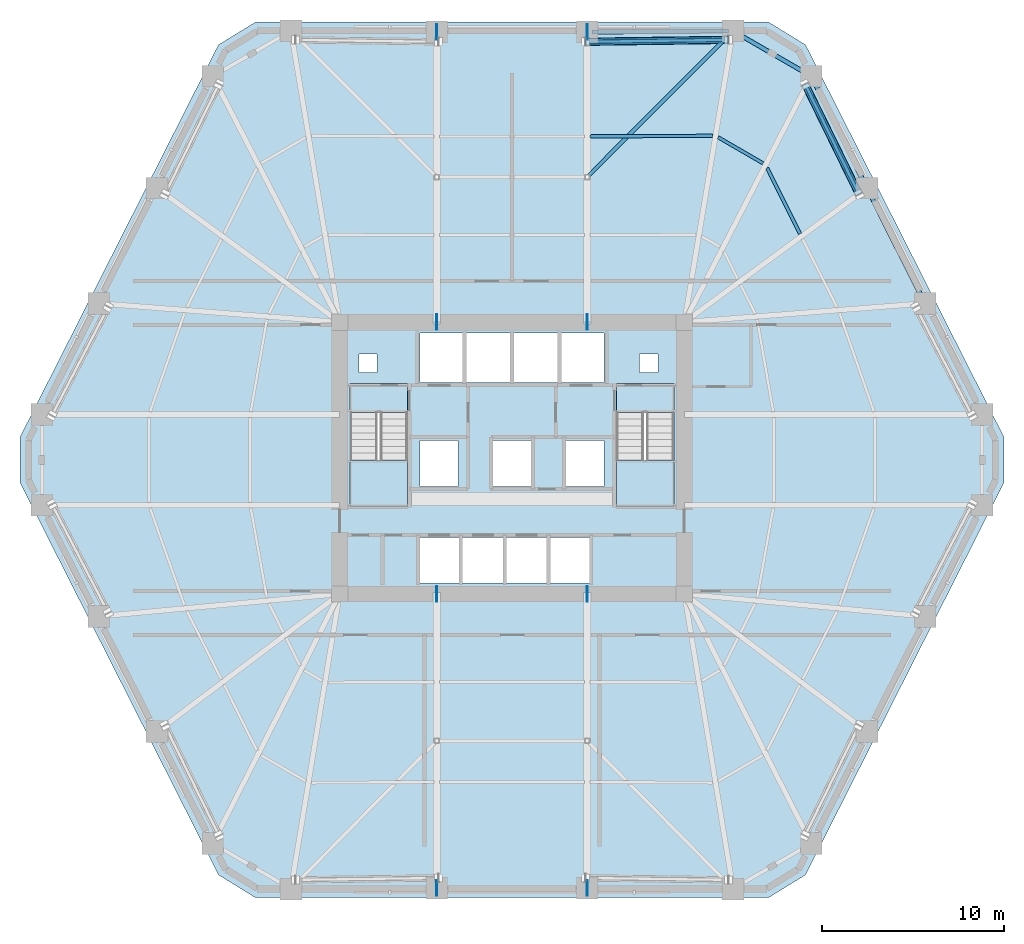
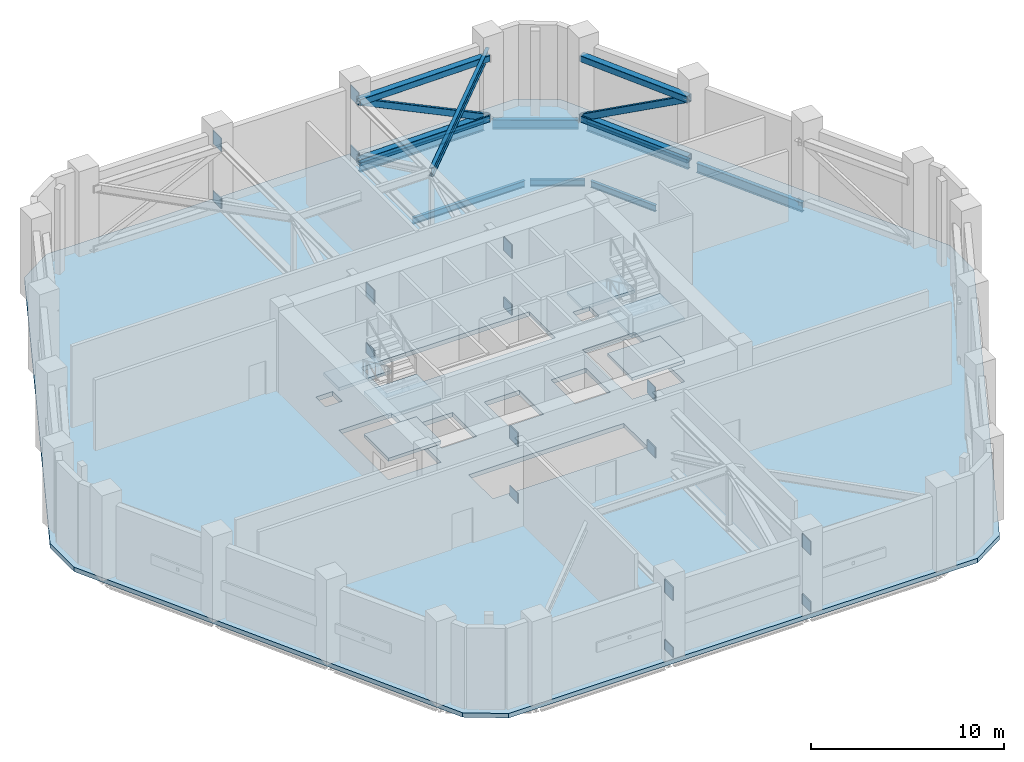
# One storey, part 6 of 19: 16 plates, 8 beams, 7 slabs, 6 members, 2 elements without a shape of their own.
"""IFC4 building model written with IfcOpenShell, lengths in metres."""

from ifc_helpers import new_model, si_unit, direction, frame, origin, origin_2d, place, context, subcontext, project, spatial, polyline, rectangle, hollow_rectangle, i_section, outline, extrude, material, layer, layer_set, material_profile, profile_set, type_object, element, aggregate, save


model = new_model("IFC4")

# Units and contexts
model_context = context("Model", 3, precision=1e-05, world=origin(), true_north=direction((0.0, 1.0)))
body_context = subcontext(model_context, "Body", "Model", "MODEL_VIEW")
ifc_project = project(units=[si_unit("LENGTHUNIT", "METRE"), si_unit("AREAUNIT", "SQUARE_METRE"), si_unit("VOLUMEUNIT", "CUBIC_METRE"), si_unit("PLANEANGLEUNIT", "RADIAN"), si_unit("MASSUNIT", "GRAM", prefix="KILO")], contexts=[model_context])

# Site, building, storey
site_placement = place(None, origin())
site = spatial("IfcSite", under=ifc_project, at=site_placement, CompositionType="ELEMENT")
building_placement = place(site_placement, origin())
building = spatial("IfcBuilding", under=site, at=building_placement, Name="Cinnabar Lancet Tower", CompositionType="ELEMENT")
storey_placement = place(building_placement, frame((0.0, 0.0, 74.60009765625)))
storey = spatial("IfcBuildingStorey", under=building, at=storey_placement, Name="L19", CompositionType="ELEMENT", Elevation=74.60009765625)

# Beams
ifc_material_1 = material(Name="Structural steel S355", Category="steel")
ifc_material_profile_1 = material_profile(ifc_material_1, i_section(OverallWidth=0.177978515625, OverallDepth=0.406494140625, WebThickness=0.0078125, FlangeThickness=0.0126953125, FilletRadius=0.01025390625, at=origin_2d()), Name="UKB 406x178x60")
ifc_profile_set_1 = profile_set([ifc_material_profile_1], Name="Structural steel S355")
beam_type_1 = type_object("IfcBeamType", Name="STR-BM-JST-406", PredefinedType="JOIST", material=ifc_profile_set_1)
beam_1_placement = place(storey_placement, frame((48.18603515625, 38.18798828125, -0.483154296875), z_axis=(-0.445738672706, 0.895163133543, 0.0), x_axis=(-0.895163133543, -0.445738672706, 0.0)))
element("IfcBeam", 1, at=beam_1_placement, inside=storey, type_object=beam_type_1, Name="L19 Secondary Floor Joist 29", PredefinedType="JOIST", context=body_context, shape_type="SweptSolid", body=[
    extrude(i_section(OverallWidth=0.177978515625, OverallDepth=0.406494140625, WebThickness=0.0078125, FlangeThickness=0.0126953125, FilletRadius=0.01025390625, at=origin_2d()), origin(), (0.0, 0.0, 1.0), 4.04052734375),
])
beam_2_placement = place(storey_placement, frame((46.1669921875, 42.052001953125, -0.483154296875), z_axis=(-0.865113631149, 0.50157592167, 0.0), x_axis=(-0.50157592167, -0.865113631149, 0.0)))
element("IfcBeam", 2, at=beam_2_placement, inside=storey, type_object=beam_type_1, Name="L19 Secondary Floor Joist 31", PredefinedType="JOIST", context=body_context, shape_type="SweptSolid", body=[
    extrude(i_section(OverallWidth=0.177978515625, OverallDepth=0.406494140625, WebThickness=0.0078125, FlangeThickness=0.0126953125, FilletRadius=0.01025390625, at=origin_2d()), origin(), (0.0, 0.0, 1.0), 2.852783203125),
])
beam_3_placement = place(storey_placement, frame((43.40087890625, 43.56396484375, -0.483154296875), z_axis=(-0.999988691118, -0.004755800274, 0.0), x_axis=(0.004755800274, -0.999988691118, 0.0)))
element("IfcBeam", 3, at=beam_3_placement, inside=storey, type_object=beam_type_1, Name="L19 Secondary Floor Joist 33", PredefinedType="JOIST", context=body_context, shape_type="SweptSolid", body=[
    extrude(i_section(OverallWidth=0.177978515625, OverallDepth=0.406494140625, WebThickness=0.0078125, FlangeThickness=0.0126953125, FilletRadius=0.01025390625, at=origin_2d()), origin(), (0.0, 0.0, 1.0), 6.724853515625),
])
ifc_material_2 = material(Name="Structural steel S355", Category="steel")
ifc_material_profile_2 = material_profile(ifc_material_2, i_section(OverallWidth=0.228271484375, OverallDepth=0.607666015625, WebThickness=0.010986328125, FlangeThickness=0.017333984375, FilletRadius=0.0126953125, at=origin_2d()), Name="UKB 610x229x113")
ifc_profile_set_2 = profile_set([ifc_material_profile_2], Name="Structural steel S355")
beam_type_2 = type_object("IfcBeamType", Name="STR-BM-SPN-610", PredefinedType="SPANDREL", material=ifc_profile_set_2)
beam_4_placement = place(storey_placement, frame((54.93310546875, 34.60302734375, -0.583984375), z_axis=(-0.450703143926, 0.892673891214, 0.0), x_axis=(-0.892673891214, -0.450703143926, 0.0)))
element("IfcBeam", 4, at=beam_4_placement, inside=storey, type_object=beam_type_2, Name="L19 Perimeter Spandrel 10", PredefinedType="SPANDREL", context=body_context, shape_type="SweptSolid", body=[
    extrude(i_section(OverallWidth=0.228271484375, OverallDepth=0.607666015625, WebThickness=0.010986328125, FlangeThickness=0.017333984375, FilletRadius=0.0126953125, at=origin_2d()), origin(), (0.0, 0.0, 1.0), 6.570068359375),
])
beam_5_placement = place(storey_placement, frame((51.748046875, 40.9150390625, -0.583984375), z_axis=(-0.445953050023, 0.89505635419, 0.0), x_axis=(-0.89505635419, -0.445953050023, 0.0)))
element("IfcBeam", 5, at=beam_5_placement, inside=storey, type_object=beam_type_2, Name="L19 Perimeter Spandrel 11", PredefinedType="SPANDREL", context=body_context, shape_type="SweptSolid", body=[
    extrude(i_section(OverallWidth=0.228271484375, OverallDepth=0.607666015625, WebThickness=0.010986328125, FlangeThickness=0.017333984375, FilletRadius=0.0126953125, at=origin_2d()), origin(), (0.0, 0.0, 1.0), 6.35498046875),
])
beam_6_placement = place(storey_placement, frame((48.5869140625, 46.951904296875, -0.583984375), z_axis=(-0.865147238596, 0.501517951374, 0.0), x_axis=(-0.501517951374, -0.865147238596, 0.0)))
element("IfcBeam", 6, at=beam_6_placement, inside=storey, type_object=beam_type_2, Name="L19 Perimeter Spandrel 12", PredefinedType="SPANDREL", context=body_context, shape_type="SweptSolid", body=[
    extrude(i_section(OverallWidth=0.228271484375, OverallDepth=0.607666015625, WebThickness=0.010986328125, FlangeThickness=0.017333984375, FilletRadius=0.0126953125, at=origin_2d()), origin(), (0.0, 0.0, 1.0), 4.454833984375),
])
beam_7_placement = place(storey_placement, frame((44.26708984375, 49.30908203125, -0.583984375), z_axis=(-0.99997856757, -0.006547090947, 0.0), x_axis=(0.006547090947, -0.99997856757, 0.0)))
element("IfcBeam", 7, at=beam_7_placement, inside=storey, type_object=beam_type_2, Name="L19 Perimeter Spandrel 13", PredefinedType="SPANDREL", context=body_context, shape_type="SweptSolid", body=[
    extrude(i_section(OverallWidth=0.228271484375, OverallDepth=0.607666015625, WebThickness=0.010986328125, FlangeThickness=0.017333984375, FilletRadius=0.0126953125, at=origin_2d()), origin(), (0.0, 0.0, 1.0), 7.495361328125),
])
ifc_material_3 = material(Name="Structural steel S355", Category="steel")
ifc_material_profile_3 = material_profile(ifc_material_3, i_section(OverallWidth=0.209228515625, OverallDepth=0.533203125, WebThickness=0.010009765625, FlangeThickness=0.015625, FilletRadius=0.0126953125, at=origin_2d()), Name="UKB 533x210x92")
ifc_profile_set_3 = profile_set([ifc_material_profile_3], Name="Structural steel S355")
beam_type_3 = type_object("IfcBeamType", Name="STR-BM-UKB533-92", PredefinedType="BEAM", material=ifc_profile_set_3)
beam_8_placement = place(storey_placement, frame((44.51708984375, 49.31103515625, 3.98291015625), z_axis=(-0.70657796627, -0.707635200921, 0.0), x_axis=(0.707635200921, -0.70657796627, 0.0)))
element("IfcBeam", 8, at=beam_8_placement, inside=storey, type_object=beam_type_3, Name="L19 Outrigger N Tie Beam 1", PredefinedType="BEAM", context=body_context, shape_type="SweptSolid", body=[
    extrude(i_section(OverallWidth=0.209228515625, OverallDepth=0.533203125, WebThickness=0.010009765625, FlangeThickness=0.015625, FilletRadius=0.0126953125, at=origin_2d()), origin(), (0.0, 0.0, 1.0), 11.315185546875),
])

# Members
ifc_material_4 = material(Name="Structural steel S460", Category="steel")
ifc_material_profile_4 = material_profile(ifc_material_4, hollow_rectangle(XDim=0.199951171875, YDim=0.39990234375, WallThickness=0.01611328125, InnerFilletRadius=0.008056640625, OuterFilletRadius=0.02392578125, at=origin_2d()), Name="RHS 400x200x16")
ifc_profile_set_4 = profile_set([ifc_material_profile_4], Name="Structural steel S460")
member_type_1 = type_object("IfcMemberType", Name="STR-MEM-BT-BRC400", PredefinedType="BRACE", material=ifc_profile_set_4)
member_1_placement = place(storey_placement, frame((51.422119140625, 40.35693359375, 4.02978515625), z_axis=(-0.382729517937, 0.781258636185, -0.49310552571), x_axis=(-0.898029909369, -0.439934406337, 0.0)))
element("IfcMember", 9, at=member_1_placement, inside=storey, type_object=member_type_1, Name="L19 Belt Truss Face 3 Diagonal", PredefinedType="BRACE", context=body_context, shape_type="SweptSolid", body=[
    extrude(hollow_rectangle(XDim=0.199951171875, YDim=0.39990234375, WallThickness=0.01611328125, InnerFilletRadius=0.008056640625, OuterFilletRadius=0.02392578125, at=origin_2d()), origin(), (0.0, 0.0, 1.0), 7.72607421875),
])
member_2_placement = place(storey_placement, frame((44.264892578125, 48.822021484375, 0.219970703125), z_axis=(-0.899313624919, -0.012157429392, 0.437135220436), x_axis=(0.013517329565, -0.999908636727, 0.0)))
element("IfcMember", 10, at=member_2_placement, inside=storey, type_object=member_type_1, Name="L19 Belt Truss Face 4 Diagonal", PredefinedType="BRACE", context=body_context, shape_type="SweptSolid", body=[
    extrude(hollow_rectangle(XDim=0.199951171875, YDim=0.39990234375, WallThickness=0.01611328125, InnerFilletRadius=0.008056640625, OuterFilletRadius=0.02392578125, at=origin_2d()), origin(), (0.0, 0.0, 1.0), 8.71533203125),
])
ifc_material_5 = material(Name="Structural steel S460", Category="steel")
ifc_material_profile_5 = material_profile(ifc_material_5, hollow_rectangle(XDim=0.39990234375, YDim=0.39990234375, WallThickness=0.02001953125, InnerFilletRadius=0.010009765625, OuterFilletRadius=0.030029296875, at=origin_2d()), Name="SHS 400x400x20")
ifc_profile_set_5 = profile_set([ifc_material_profile_5], Name="Structural steel S460")
member_type_2 = type_object("IfcMemberType", Name="STR-MEM-BT-CHD400", PredefinedType="CHORD", material=ifc_profile_set_5)
for number, where, z_axis, x_axis, name in (
    (11, (51.422119140625, 40.35693359375, 0.219970703125), (-0.439934406337, 0.898029909369, 0.0), (-0.898029909369, -0.439934406337, 0.0), "L19 Belt Truss Face 3 Chord BC"),
    (12, (51.422119140625, 40.35693359375, 4.02978515625), (-0.439934406337, 0.898029909369, 0.0), (-0.898029909369, -0.439934406337, 0.0), "L19 Belt Truss Face 3 Chord TC"),
):
    element("IfcMember", number, at=place(storey_placement, frame(where, z_axis=z_axis, x_axis=x_axis)), inside=storey, type_object=member_type_2, Name=name, PredefinedType="CHORD", context=body_context, shape_type="SweptSolid", body=[
        extrude(hollow_rectangle(XDim=0.39990234375, YDim=0.39990234375, WallThickness=0.02001953125, InnerFilletRadius=0.010009765625, OuterFilletRadius=0.030029296875, at=origin_2d()), origin(), (0.0, 0.0, 1.0), 6.721435546875),
    ])
for number, where, z_axis, x_axis, name in (
    (13, (44.264892578125, 48.822021484375, 0.219970703125), (-0.999908636727, -0.013517329565, 0.0), (0.013517329565, -0.999908636727, 0.0), "L19 Belt Truss Face 4 Chord BC"),
    (14, (44.264892578125, 48.822021484375, 4.02978515625), (-0.999908636727, -0.013517329565, 0.0), (0.013517329565, -0.999908636727, 0.0), "L19 Belt Truss Face 4 Chord TC"),
):
    element("IfcMember", number, at=place(storey_placement, frame(where, z_axis=z_axis, x_axis=x_axis)), inside=storey, type_object=member_type_2, Name=name, PredefinedType="CHORD", context=body_context, shape_type="SweptSolid", body=[
        extrude(hollow_rectangle(XDim=0.39990234375, YDim=0.39990234375, WallThickness=0.02001953125, InnerFilletRadius=0.010009765625, OuterFilletRadius=0.030029296875, at=origin_2d()), origin(), (0.0, 0.0, 1.0), 7.838623046875),
    ])

# Stair, slabs
ifc_material_6 = material(Name="Concrete C40/50", Category="concrete")
stair_type = type_object("IfcStairType", Name="ST-CORE", PredefinedType="HALF_TURN_STAIR", material=ifc_material_6)
stair_1_placement = place(storey_placement, origin())
stair_1 = element("IfcStair", 15, at=stair_1_placement, inside=storey, type_object=stair_type, Name="L19 ST-1", PredefinedType="HALF_TURN_STAIR")
ifc_material_7 = material(Name="Concrete C40/50", Category="concrete")
ifc_layer_1 = layer(ifc_material_7, 0.199951171875)
ifc_layer_set_1 = layer_set([ifc_layer_1], Name="Concrete C40/50")
slab_type_1 = type_object("IfcSlabType", Name="LANDING-CORE", PredefinedType="LANDING", material=ifc_layer_set_1)
slab_1_placement = place(storey_placement, frame((0.0, 0.0, 1.14990234375)))
slab_1 = element("IfcSlab", 16, at=slab_1_placement, type_object=slab_type_1, Name="ST-1 landing 1", PredefinedType="LANDING", context=body_context, shape_type="SweptSolid", body=[
    extrude(outline(polyline([(23.52490234375, 25.80029296875), (23.52490234375, 23.25), (26.675048828125, 23.25), (26.675048828125, 25.80029296875), (23.52490234375, 25.80029296875)])), origin(), (0.0, 0.0, 1.0), 0.199951171875),
])
slab_2_placement = place(storey_placement, frame((0.0, 0.0, 2.5)))
slab_2 = element("IfcSlab", 17, at=slab_2_placement, type_object=slab_type_1, Name="ST-1 landing 2", PredefinedType="LANDING", context=body_context, shape_type="SweptSolid", body=[
    extrude(outline(polyline([(23.52490234375, 30.0), (23.52490234375, 28.39990234375), (26.675048828125, 28.39990234375), (26.675048828125, 30.0), (23.52490234375, 30.0)])), origin(), (0.0, 0.0, 1.0), 0.199951171875),
])
slab_3_placement = place(storey_placement, frame((0.0, 0.0, 3.849853515625)))
slab_3 = element("IfcSlab", 18, at=slab_3_placement, type_object=slab_type_1, Name="ST-1 landing 3", PredefinedType="LANDING", context=body_context, shape_type="SweptSolid", body=[
    extrude(outline(polyline([(23.52490234375, 25.80029296875), (23.52490234375, 23.25), (26.675048828125, 23.25), (26.675048828125, 25.80029296875), (23.52490234375, 25.80029296875)])), origin(), (0.0, 0.0, 1.0), 0.199951171875),
])
aggregate(stair_1, [slab_1, slab_2, slab_3])

stair_2_placement = place(storey_placement, origin())
stair_2 = element("IfcStair", 19, at=stair_2_placement, inside=storey, type_object=stair_type, Name="L19 ST-2", PredefinedType="HALF_TURN_STAIR")
slab_4_placement = place(storey_placement, frame((0.0, 0.0, 1.14990234375)))
slab_4 = element("IfcSlab", 20, at=slab_4_placement, type_object=slab_type_1, Name="ST-2 landing 1", PredefinedType="LANDING", context=body_context, shape_type="SweptSolid", body=[
    extrude(outline(polyline([(38.125, 25.80029296875), (38.125, 23.25), (41.27490234375, 23.25), (41.27490234375, 25.80029296875), (38.125, 25.80029296875)])), origin(), (0.0, 0.0, 1.0), 0.199951171875),
])
slab_5_placement = place(storey_placement, frame((0.0, 0.0, 2.5)))
slab_5 = element("IfcSlab", 21, at=slab_5_placement, type_object=slab_type_1, Name="ST-2 landing 2", PredefinedType="LANDING", context=body_context, shape_type="SweptSolid", body=[
    extrude(outline(polyline([(38.125, 30.0), (38.125, 28.39990234375), (41.27490234375, 28.39990234375), (41.27490234375, 30.0), (38.125, 30.0)])), origin(), (0.0, 0.0, 1.0), 0.199951171875),
])
slab_6_placement = place(storey_placement, frame((0.0, 0.0, 3.849853515625)))
slab_6 = element("IfcSlab", 22, at=slab_6_placement, type_object=slab_type_1, Name="ST-2 landing 3", PredefinedType="LANDING", context=body_context, shape_type="SweptSolid", body=[
    extrude(outline(polyline([(38.125, 25.80029296875), (38.125, 23.25), (41.27490234375, 23.25), (41.27490234375, 25.80029296875), (38.125, 25.80029296875)])), origin(), (0.0, 0.0, 1.0), 0.199951171875),
])
aggregate(stair_2, [slab_4, slab_5, slab_6])

# Plates
ifc_material_8 = material(Name="Structural steel S460", Category="steel")
ifc_layer_2 = layer(ifc_material_8, 0.050048828125)
ifc_layer_set_2 = layer_set([ifc_layer_2], Name="Structural steel S460")
plate_type = type_object("IfcPlateType", Name="STR-PL-GUS-50", PredefinedType="USERDEFINED", material=ifc_layer_set_2)
for number, where, z_axis, x_axis, name in (
    (23, (28.278076171875, 18.449951171875, -0.205078125), (0.0, 0.0, 1.0), (1.0, 0.0, 0.0), "L19 Outrigger 1 Node Gusset CB"),
    (24, (28.278076171875, 18.449951171875, 3.604736328125), (0.0, 0.0, 1.0), (1.0, 0.0, 0.0), "L19 Outrigger 1 Node Gusset CT"),
    (25, (28.278076171875, 2.342041015625, -0.205078125), (0.0, 0.0, 1.0), (1.0, 0.0, 0.0), "L19 Outrigger 1 Node Gusset PB"),
    (26, (28.278076171875, 2.342041015625, 3.604736328125), (0.0, 0.0, 1.0), (1.0, 0.0, 0.0), "L19 Outrigger 1 Node Gusset PT"),
    (27, (36.52197265625, 18.449951171875, -0.205078125), (0.0, 0.0, 1.0), (1.0, 0.0, 0.0), "L19 Outrigger 2 Node Gusset CB"),
    (28, (36.52197265625, 18.449951171875, 3.604736328125), (0.0, 0.0, 1.0), (1.0, 0.0, 0.0), "L19 Outrigger 2 Node Gusset CT"),
    (29, (36.52197265625, 2.342041015625, -0.205078125), (0.0, 0.0, 1.0), (1.0, 0.0, 0.0), "L19 Outrigger 2 Node Gusset PB"),
    (30, (36.52197265625, 2.342041015625, 3.604736328125), (0.0, 0.0, 1.0), (1.0, 0.0, 0.0), "L19 Outrigger 2 Node Gusset PT"),
    (31, (36.52197265625, 33.35009765625, -0.205078125), (0.0, 0.0, 1.0), (1.0, 0.0, 0.0), "L19 Outrigger 3 Node Gusset CB"),
    (32, (36.52197265625, 33.35009765625, 3.604736328125), (0.0, 0.0, 1.0), (1.0, 0.0, 0.0), "L19 Outrigger 3 Node Gusset CT"),
    (33, (36.52197265625, 49.258056640625, -0.205078125), (0.0, 0.0, 1.0), (1.0, 0.0, 0.0), "L19 Outrigger 3 Node Gusset PB"),
    (34, (36.52197265625, 49.258056640625, 3.604736328125), (0.0, 0.0, 1.0), (1.0, 0.0, 0.0), "L19 Outrigger 3 Node Gusset PT"),
    (35, (28.278076171875, 33.35009765625, -0.205078125), (0.0, 0.0, 1.0), (1.0, 0.0, 0.0), "L19 Outrigger 4 Node Gusset CB"),
    (36, (28.278076171875, 33.35009765625, 3.604736328125), (0.0, 0.0, 1.0), (1.0, 0.0, 0.0), "L19 Outrigger 4 Node Gusset CT"),
    (37, (28.278076171875, 49.258056640625, -0.205078125), (0.0, 0.0, 1.0), (1.0, 0.0, 0.0), "L19 Outrigger 4 Node Gusset PB"),
    (38, (28.278076171875, 49.258056640625, 3.604736328125), (0.0, 0.0, 1.0), (1.0, 0.0, 0.0), "L19 Outrigger 4 Node Gusset PT"),
):
    element("IfcPlate", number, at=place(storey_placement, frame(where, z_axis=z_axis, x_axis=x_axis)), inside=storey, type_object=plate_type, Name=name, ObjectType="GUSSET PLATE", PredefinedType="USERDEFINED", context=body_context, shape_type="SweptSolid", body=[
        extrude(rectangle(XDim=0.050048828125, YDim=0.85009765625, at=origin_2d()), origin(), (0.0, 0.0, 1.0), 0.85009765625),
    ])

# Slab
ifc_material_9 = material(Name="Concrete C45/55", Category="concrete")
ifc_layer_3 = layer(ifc_material_9, 0.280029296875)
ifc_layer_set_3 = layer_set([ifc_layer_3], Name="Concrete C45/55")
slab_type_2 = type_object("IfcSlabType", Name="STR-SLB-FLR-280", PredefinedType="FLOOR", material=ifc_layer_set_3)
slab_7_placement = place(storey_placement, frame((0.0, 0.0, -0.280029296875)))
element("IfcSlab", 39, at=slab_7_placement, inside=storey, type_object=slab_type_2, Name="L19 Structural Floor Slab", PredefinedType="FLOOR", context=body_context, shape_type="SweptSolid", body=[
    extrude(outline(polyline([(16.31201171875, 3.049072265625), (18.343994140625, 1.800048828125), (46.4560546875, 1.800048828125), (48.488037109375, 3.049072265625), (59.367919921875, 24.551025390625), (59.367919921875, 27.049072265625), (48.488037109375, 48.551025390625), (46.4560546875, 49.800048828125), (18.343994140625, 49.800048828125), (16.31201171875, 48.551025390625), (5.431884765625, 27.049072265625), (5.431884765625, 24.551025390625), (16.31201171875, 3.049072265625)]), holes=[polyline([(23.52490234375, 23.25), (26.675048828125, 23.25), (26.675048828125, 28.3994140625), (23.52490234375, 28.3994140625), (23.52490234375, 23.25)]), polyline([(38.125, 23.25), (41.27490234375, 23.25), (41.27490234375, 28.3994140625), (38.125, 28.3994140625), (38.125, 23.25)]), polyline([(27.35009765625, 30.050048828125), (37.449951171875, 30.050048828125), (37.449951171875, 32.75), (27.35009765625, 32.75), (27.35009765625, 30.050048828125)]), polyline([(27.35009765625, 19.050048828125), (36.64990234375, 19.050048828125), (36.64990234375, 21.550048828125), (27.35009765625, 21.550048828125), (27.35009765625, 19.050048828125)]), polyline([(27.35009765625, 24.35009765625), (29.449951171875, 24.35009765625), (29.449951171875, 26.85009765625), (27.35009765625, 26.85009765625), (27.35009765625, 24.35009765625)]), polyline([(35.35009765625, 24.35009765625), (37.449951171875, 24.35009765625), (37.449951171875, 26.85009765625), (35.35009765625, 26.85009765625), (35.35009765625, 24.35009765625)]), polyline([(31.35009765625, 24.35009765625), (33.449951171875, 24.35009765625), (33.449951171875, 26.85009765625), (31.35009765625, 26.85009765625), (31.35009765625, 24.35009765625)]), polyline([(24.0, 30.60009765625), (25.0, 30.60009765625), (25.0, 31.60009765625), (24.0, 31.60009765625), (24.0, 30.60009765625)]), polyline([(39.39990234375, 30.60009765625), (40.39990234375, 30.60009765625), (40.39990234375, 31.60009765625), (39.39990234375, 31.60009765625), (39.39990234375, 30.60009765625)])]), origin(), (0.0, 0.0, 1.0), 0.280029296875),
])

save(model, "model.ifc")
